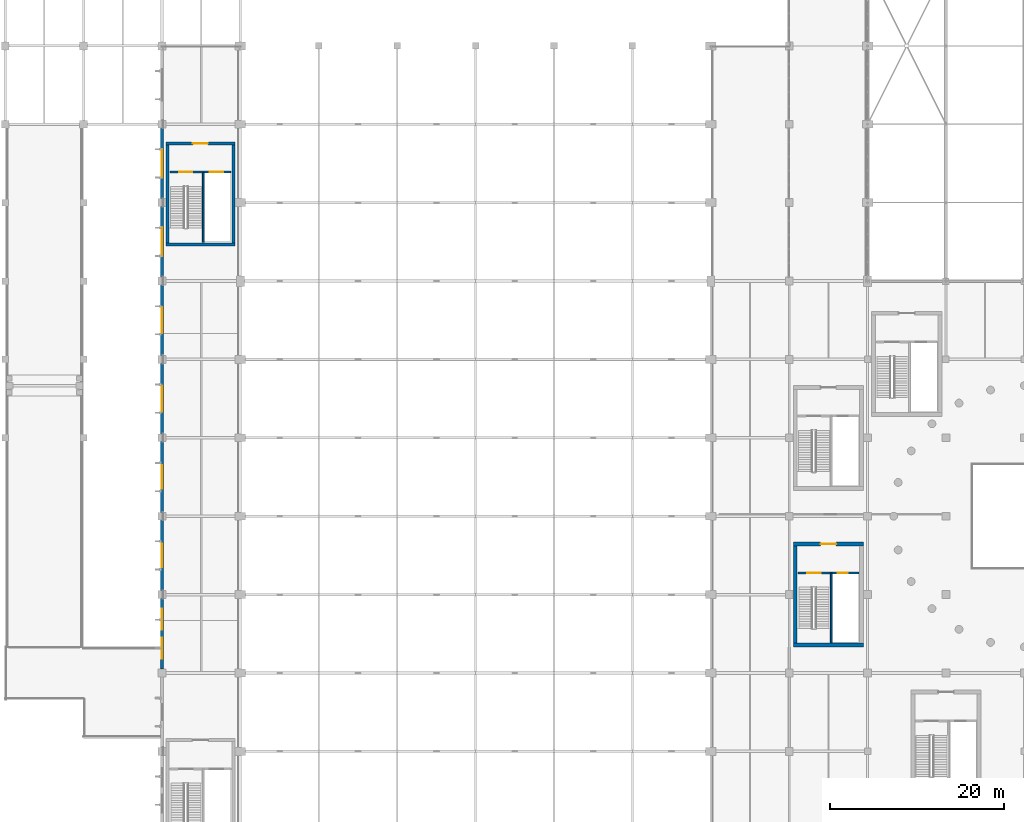
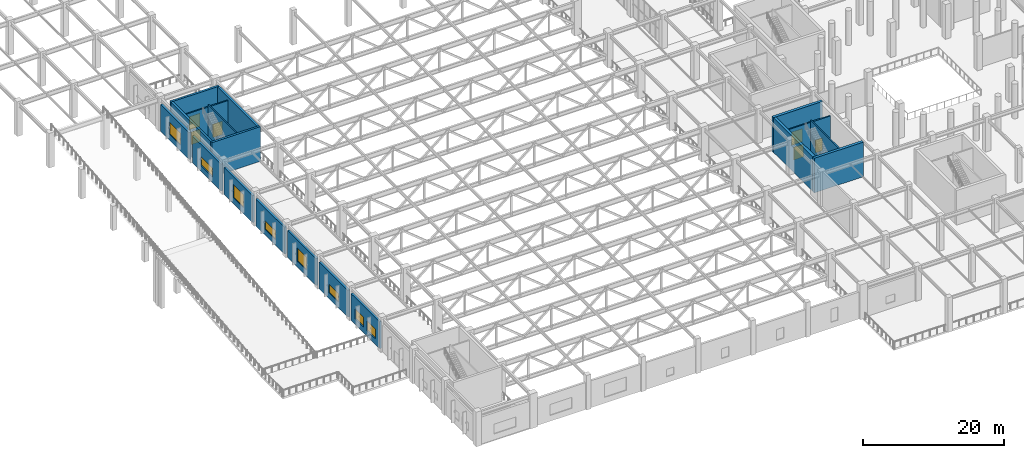
# One storey, part 190 of 223: 18 walls, 8 windows, 6 doors, 14 openings.
"""IFC4 building model written with IfcOpenShell, lengths in metres."""

import ifcopenshell
import ifcopenshell.guid

model = None  # the IFC model being written
_history = None  # IfcOwnerHistory: only IFC2X3 demands one
_inside = {}  # id of a spatial element -> (the spatial element, [elements in it])
_under = {}  # id of a project, library or spatial element -> (it, [spatial elements below it])
_declared = {}  # id of a project -> (the project, [libraries it declares])
_typed = {}  # id of a type object -> (the type object, [elements of that type])
_made_of = {}  # id of a material, layer set ... -> (it, [elements and type objects made of it])


def new_model(schema):
    """Start an empty IFC model of exactly this schema.

    Asked for "IFC4X3", IfcOpenShell would pick the latest addendum, in which some entities
    have other attributes; the version numbers below select the first issue.
    IFC2X3 requires an IfcOwnerHistory on every rooted entity: one is made here for all.
    """
    global model, _history
    if schema == "IFC4X3":
        model = ifcopenshell.file(schema_version=(4, 3, 0, 0))
    else:
        model = ifcopenshell.file(schema=schema)
    _inside.clear()
    _under.clear()
    _declared.clear()
    _typed.clear()
    _made_of.clear()
    _history = None
    if model.schema == "IFC2X3":
        org = make("IfcOrganization", Name="unknown")
        user = make(
            "IfcPersonAndOrganization",
            ThePerson=make("IfcPerson", FamilyName="unknown"),
            TheOrganization=org,
        )
        app = make(
            "IfcApplication",
            ApplicationDeveloper=org,
            Version="unknown",
            ApplicationFullName="unknown",
            ApplicationIdentifier="unknown",
        )
        _history = make(
            "IfcOwnerHistory",
            OwningUser=user,
            OwningApplication=app,
            ChangeAction="ADDED",
            CreationDate=0,
        )
    return model


def make(cls, **values):
    """One entity of the class cls with the attributes given. An attribute that is None is left unset."""
    return model.create_entity(
        cls, **{name: value for name, value in values.items() if value is not None}
    )


def rooted(cls, **values):
    """An entity with a GlobalId (a new one), such as an element, a storey or a relation."""
    return make(cls, GlobalId=ifcopenshell.guid.new(), OwnerHistory=_history, **values)


def si_unit(unit_type, name, prefix=None):
    """IfcSIUnit, for example si_unit("LENGTHUNIT", "METRE", prefix="MILLI")."""
    return make("IfcSIUnit", UnitType=unit_type, Prefix=prefix, Name=name)


def assignment(units):
    """IfcUnitAssignment: the units of a project."""
    return None if units is None else make("IfcUnitAssignment", Units=units)


def point(xyz):
    """IfcCartesianPoint."""
    return None if xyz is None else make("IfcCartesianPoint", Coordinates=xyz)


def direction(xyz):
    """IfcDirection."""
    return None if xyz is None else make("IfcDirection", DirectionRatios=xyz)


def frame(location, z_axis=None, x_axis=None):
    """IfcAxis2Placement3D, a coordinate frame: its origin and axes. An axis left out is left unset."""
    return make(
        "IfcAxis2Placement3D",
        Location=point(location),
        Axis=direction(z_axis),
        RefDirection=direction(x_axis),
    )


def frame_2d(location, x_axis=None):
    """IfcAxis2Placement2D, a coordinate frame in the plane: its origin and x axis."""
    return make(
        "IfcAxis2Placement2D", Location=point(location), RefDirection=direction(x_axis)
    )


def origin():
    """The frame at (0, 0, 0) with its axes left unset."""
    return frame((0.0, 0.0, 0.0))


def place(relative_to, where):
    """IfcLocalPlacement: puts the frame where relative to a parent placement (None: the world)."""
    return make(
        "IfcLocalPlacement", PlacementRelTo=relative_to, RelativePlacement=where
    )


def context(
    kind, dimensions, precision=None, world=None, true_north=None, identifier=None
):
    """IfcGeometricRepresentationContext, for example the 3D "Model" context."""
    return make(
        "IfcGeometricRepresentationContext",
        ContextIdentifier=identifier,
        ContextType=kind,
        CoordinateSpaceDimension=dimensions,
        Precision=precision,
        WorldCoordinateSystem=world,
        TrueNorth=true_north,
    )


def subcontext(parent, identifier, kind, view, scale=None):
    """IfcGeometricRepresentationSubContext, for example "Body" below "Model"."""
    return make(
        "IfcGeometricRepresentationSubContext",
        ContextIdentifier=identifier,
        ContextType=kind,
        ParentContext=parent,
        TargetScale=scale,
        TargetView=view,
    )


def project(units=None, contexts=None):
    """IfcProject with its units and contexts."""
    return rooted(
        "IfcProject",
        Name="project",
        RepresentationContexts=contexts,
        UnitsInContext=assignment(units),
    )


def spatial(cls, under=None, at=None, **own):
    """A site, building, storey or space (cls), placed at a placement, below another one or the project."""
    s = rooted(cls, ObjectPlacement=at, **own)
    if under is not None:
        _under.setdefault(under.id(), (under, []))[1].append(s)
    return s


def profile(cls, at=None, kind="AREA", **sizes):
    """A parametric profile (cls). Its sizes go by their IFC names, for example OverallWidth=200.0."""
    return make(cls, ProfileType=kind, Position=at, **sizes)


def rectangle(**sizes):
    """IfcRectangleProfileDef."""
    return profile("IfcRectangleProfileDef", **sizes)


def extrude(swept, where, along, depth):
    """IfcExtrudedAreaSolid: the profile swept, set in the frame where, extruded along a direction by depth."""
    return make(
        "IfcExtrudedAreaSolid",
        SweptArea=swept,
        Position=where,
        ExtrudedDirection=direction(along),
        Depth=depth,
    )


def shape(context_of_items, identifier, shape_type, items):
    """IfcShapeRepresentation: the items that make up one representation, for example the "Body"."""
    return make(
        "IfcShapeRepresentation",
        ContextOfItems=context_of_items,
        RepresentationIdentifier=identifier,
        RepresentationType=shape_type,
        Items=items,
    )


def material(Name=None, Category=None):
    """IfcMaterial."""
    return make("IfcMaterial", Name=Name, Category=Category)


def layer(
    of_material, thickness, ventilated=None, Name=None, Category=None, Priority=None
):
    """IfcMaterialLayer: one layer of a wall or slab, of a material (None: an air gap)."""
    return make(
        "IfcMaterialLayer",
        Material=of_material,
        LayerThickness=thickness,
        IsVentilated=ventilated,
        Name=Name,
        Category=Category,
        Priority=Priority,
    )


def layer_set(layers, Name=None):
    """IfcMaterialLayerSet."""
    return make("IfcMaterialLayerSet", MaterialLayers=layers, LayerSetName=Name)


def made_of(thing, what):
    """Note that an element or type object is made of a material, layer set ...; save() writes the relation."""
    if what is not None:
        _made_of.setdefault(what.id(), (what, []))[1].append(thing)
    return thing


def type_object(cls, material=None, **own):
    """A type object (cls), such as IfcWallType, which elements share."""
    return made_of(rooted(cls, **own), material)


def element(
    cls,
    number,
    at=None,
    inside=None,
    cuts=None,
    type_object=None,
    material=None,
    context=None,
    identifier="Body",
    shape_type=None,
    held_by="IfcProductDefinitionShape",
    body=None,
    shapes=None,
    **own,
):
    """One element of the class cls, such as IfcWall. Its Tag is "e" and its number.

    at: its placement. inside: the storey or other place that contains it. cuts: it is an
    opening in that element (IfcRelVoidsElement). A single representation is given by context,
    identifier, shape_type and body (its items); several are given by shapes. held_by: the class
    of the entity that holds the representations. save() writes the other relations.
    """
    e = rooted(cls, Tag="e%d" % number, ObjectPlacement=at, **own)
    if body is not None:
        shapes = [shape(context, identifier, shape_type, body)]
    if shapes is not None:
        e.Representation = make(held_by, Representations=shapes)
    if inside is not None:
        _inside.setdefault(inside.id(), (inside, []))[1].append(e)
    if cuts is not None:
        rooted(
            "IfcRelVoidsElement", RelatingBuildingElement=cuts, RelatedOpeningElement=e
        )
    if type_object is not None:
        _typed.setdefault(type_object.id(), (type_object, []))[1].append(e)
    return made_of(e, material)


def fill(opening, filler):
    """IfcRelFillsElement: the door or window that sits in an opening."""
    return rooted(
        "IfcRelFillsElement",
        RelatingOpeningElement=opening,
        RelatedBuildingElement=filler,
    )


def aggregate(whole, parts):
    """IfcRelAggregates: a whole, such as a stair, and the parts it consists of."""
    return rooted("IfcRelAggregates", RelatingObject=whole, RelatedObjects=parts)


def save(model, path):
    """Write the relations noted so far, then the file.

    IfcRelAggregates (storeys below a building ...), IfcRelContainedInSpatialStructure (elements
    in a storey), IfcRelDefinesByType, IfcRelAssociatesMaterial and IfcRelDeclares: one each for
    every whole, place, type object, material and project.
    """
    for whole, parts in _under.values():
        aggregate(whole, parts)
    for where, things in _inside.values():
        rooted(
            "IfcRelContainedInSpatialStructure",
            RelatedElements=things,
            RelatingStructure=where,
        )
    for kind, things in _typed.values():
        rooted("IfcRelDefinesByType", RelatedObjects=things, RelatingType=kind)
    for what, things in _made_of.values():
        rooted("IfcRelAssociatesMaterial", RelatedObjects=things, RelatingMaterial=what)
    for by, libraries in _declared.values():
        rooted("IfcRelDeclares", RelatingContext=by, RelatedDefinitions=libraries)
    model.write(path)


model = new_model("IFC4")

# Units and contexts
model_context = context("Model", 3, precision=1e-05, world=origin(), true_north=direction((0.0, 1.0)))
body_context = subcontext(model_context, "Body", "Model", "MODEL_VIEW")
ifc_project = project(units=[si_unit("LENGTHUNIT", "METRE"), si_unit("AREAUNIT", "SQUARE_METRE"), si_unit("VOLUMEUNIT", "CUBIC_METRE"), si_unit("PLANEANGLEUNIT", "RADIAN"), si_unit("MASSUNIT", "GRAM", prefix="KILO")], contexts=[model_context])

# Site, building, storey
site_placement = place(None, origin())
site = spatial("IfcSite", under=ifc_project, at=site_placement, CompositionType="ELEMENT")
building_placement = place(site_placement, origin())
building = spatial("IfcBuilding", under=site, at=building_placement, Name="Dornveld Trade and Exhibition Forum", CompositionType="ELEMENT")
storey_placement = place(building_placement, frame((0.0, 0.0, 6.0)))
storey = spatial("IfcBuildingStorey", under=building, at=storey_placement, Name="L01", CompositionType="ELEMENT", Elevation=6.0)

# Wall
ifc_material_1 = material(Name="Concrete C40/50", Category="concrete")
ifc_layer_1 = layer(ifc_material_1, 0.35009765625)
ifc_layer_set_1 = layer_set([ifc_layer_1], Name="Concrete C40/50")
wall_type_1 = type_object("IfcWallType", Name="WL-CORE-350", PredefinedType="SHEAR", material=ifc_layer_set_1)
wall_1_placement = place(storey_placement, frame((18.425048828125, 112.199951171875, 0.0), z_axis=(0.0, 0.0, 1.0), x_axis=(1.0, 0.0, 0.0)))
element("IfcWall", 1, at=wall_1_placement, inside=storey, type_object=wall_type_1, Name="CORE-10 L01 shear wall S", PredefinedType="SHEAR", context=body_context, shape_type="SweptSolid", body=[
    extrude(rectangle(XDim=7.949951171875, YDim=0.35009765625, at=frame_2d((3.97509765625, 0.0))), origin(), (0.0, 0.0, 1.0), 6.0),
])

# Wall, opening, door
wall_2_placement = place(storey_placement, frame((18.425048828125, 123.800048828125, 0.0), z_axis=(0.0, 0.0, 1.0), x_axis=(1.0, 0.0, 0.0)))
wall_2 = element("IfcWall", 2, at=wall_2_placement, inside=storey, type_object=wall_type_1, Name="CORE-10 L01 shear wall N", PredefinedType="SHEAR", context=body_context, shape_type="SweptSolid", body=[
    extrude(rectangle(XDim=7.949951171875, YDim=0.35009765625, at=frame_2d((3.97509765625, 0.0))), origin(), (0.0, 0.0, 1.0), 6.0),
])
opening_1_placement = place(wall_2_placement, frame((3.10009765625, 0.0, 0.0)))
opening_1 = element("IfcOpeningElement", 3, at=opening_1_placement, cuts=wall_2, Name="Opening CD-10-L01", PredefinedType="OPENING", context=body_context, shape_type="SweptSolid", body=[
    extrude(rectangle(XDim=1.75, YDim=2.300048828125, at=frame_2d((0.875, 1.14990234375))), frame((0.0, 0.18505859375, 0.0), z_axis=(0.0, -1.0, 0.0), x_axis=(1.0, 0.0, 0.0)), (0.0, 0.0, 1.0), 0.3701171875),
])
ifc_material_2 = material(Name="Steel fire-rated double door assembly", Category="steel")
door_type_1 = type_object("IfcDoorType", Name="DR-CORE-175x230", OperationType="NOTDEFINED", PredefinedType="DOOR", material=ifc_material_2)
door_1_placement = place(opening_1_placement, origin())
door_1 = element("IfcDoor", 4, at=door_1_placement, inside=storey, type_object=door_type_1, Name="CORE-10 L01 core lobby double fire door", OperationType="DOUBLE_DOOR_SINGLE_SWING", OverallHeight=2.300048828125, OverallWidth=1.75, PredefinedType="DOOR", context=body_context, shape_type="SweptSolid", body=[
    extrude(rectangle(XDim=1.75, YDim=2.300048828125, at=frame_2d((0.875, 1.14990234375))), frame((0.0, 0.02490234375, 0.0), z_axis=(0.0, -1.0, 0.0), x_axis=(1.0, 0.0, 0.0)), (0.0, 0.0, 1.0), 0.050048828125),
])
fill(opening_1, door_1)

# Walls
for number, where, z_axis, x_axis, name in (
    (5, (18.60009765625, 112.375, 0.0), (0.0, 0.0, 1.0), (0.0, 1.0, 0.0), "CORE-10 L01 shear wall W"),
    (6, (26.199951171875, 112.375, 0.0), (0.0, 0.0, 1.0), (0.0, 1.0, 0.0), "CORE-10 L01 shear wall E"),
):
    element("IfcWall", number, at=place(storey_placement, frame(where, z_axis=z_axis, x_axis=x_axis)), inside=storey, type_object=wall_type_1, Name=name, PredefinedType="SHEAR", context=body_context, shape_type="SweptSolid", body=[
        extrude(rectangle(XDim=11.25, YDim=0.35009765625, at=frame_2d((5.625, 0.0))), origin(), (0.0, 0.0, 1.0), 6.0),
    ])
ifc_material_3 = material(Name="Concrete C40/50", Category="concrete")
ifc_layer_2 = layer(ifc_material_3, 0.449951171875)
ifc_layer_set_2 = layer_set([ifc_layer_2], Name="Concrete C40/50")
wall_type_2 = type_object("IfcWallType", Name="WL-CORE-450", PredefinedType="SHEAR", material=ifc_layer_set_2)
wall_3_placement = place(storey_placement, frame((90.47509765625, 66.199951171875, 0.0), z_axis=(0.0, 0.0, 1.0), x_axis=(1.0, 0.0, 0.0)))
element("IfcWall", 7, at=wall_3_placement, inside=storey, type_object=wall_type_2, Name="CORE-05 L01 shear wall S", PredefinedType="SHEAR", context=body_context, shape_type="SweptSolid", body=[
    extrude(rectangle(XDim=8.0498046875, YDim=0.449951171875, at=frame_2d((4.02490234375, 0.0))), origin(), (0.0, 0.0, 1.0), 6.0),
])

# Wall, opening, door
wall_4_placement = place(storey_placement, frame((90.47509765625, 77.800048828125, 0.0), z_axis=(0.0, 0.0, 1.0), x_axis=(1.0, 0.0, 0.0)))
wall_4 = element("IfcWall", 8, at=wall_4_placement, inside=storey, type_object=wall_type_2, Name="CORE-05 L01 shear wall N", PredefinedType="SHEAR", context=body_context, shape_type="SweptSolid", body=[
    extrude(rectangle(XDim=8.0498046875, YDim=0.449951171875, at=frame_2d((4.02490234375, 0.0))), origin(), (0.0, 0.0, 1.0), 6.0),
])
opening_2_placement = place(wall_4_placement, frame((3.125, 0.0, 0.0)))
opening_2 = element("IfcOpeningElement", 9, at=opening_2_placement, cuts=wall_4, Name="Opening CD-05-L01", PredefinedType="OPENING", context=body_context, shape_type="SweptSolid", body=[
    extrude(rectangle(XDim=1.800048828125, YDim=2.300048828125, at=frame_2d((0.89990234375, 1.14990234375))), frame((0.0, 0.23486328125, 0.0), z_axis=(0.0, -1.0, 0.0), x_axis=(1.0, 0.0, 0.0)), (0.0, 0.0, 1.0), 0.469970703125),
])
ifc_material_4 = material(Name="Steel fire-rated double door assembly", Category="steel")
door_type_2 = type_object("IfcDoorType", Name="DR-CORE-180x230", OperationType="NOTDEFINED", PredefinedType="DOOR", material=ifc_material_4)
door_2_placement = place(opening_2_placement, origin())
door_2 = element("IfcDoor", 10, at=door_2_placement, inside=storey, type_object=door_type_2, Name="CORE-05 L01 core lobby double fire door", OperationType="DOUBLE_DOOR_SINGLE_SWING", OverallHeight=2.300048828125, OverallWidth=1.800048828125, PredefinedType="DOOR", context=body_context, shape_type="SweptSolid", body=[
    extrude(rectangle(XDim=1.800048828125, YDim=2.300048828125, at=frame_2d((0.89990234375, 1.14990234375))), frame((0.0, 0.02490234375, 0.0), z_axis=(0.0, -1.0, 0.0), x_axis=(1.0, 0.0, 0.0)), (0.0, 0.0, 1.0), 0.050048828125),
])
fill(opening_2, door_2)

# Wall
wall_5_placement = place(storey_placement, frame((90.699951171875, 66.425048828125, 0.0), z_axis=(0.0, 0.0, 1.0), x_axis=(0.0, 1.0, 0.0)))
element("IfcWall", 11, at=wall_5_placement, inside=storey, type_object=wall_type_2, Name="CORE-05 L01 shear wall W", PredefinedType="SHEAR", context=body_context, shape_type="SweptSolid", body=[
    extrude(rectangle(XDim=11.14990234375, YDim=0.449951171875, at=frame_2d((5.574951171875, 0.0))), origin(), (0.0, 0.0, 1.0), 6.0),
])

# Wall, openings, windows
ifc_material_5 = material(Name="Precast concrete C50/60", Category="concrete")
ifc_layer_3 = layer(ifc_material_5, 0.340087890625)
ifc_layer_set_3 = layer_set([ifc_layer_3], Name="Precast concrete C50/60")
wall_type_3 = type_object("IfcWallType", Name="WL-EXT-PC340", PredefinedType="SOLIDWALL", material=ifc_layer_set_3)
wall_6_placement = place(storey_placement, frame((18.0, 71.550537109375, 0.0), z_axis=(0.0, 0.0, 1.0), x_axis=(0.0, -1.0, 0.0)))
wall_6 = element("IfcWall", 12, at=wall_6_placement, inside=storey, type_object=wall_type_3, Name="L01 precast facade wall 49", PredefinedType="SOLIDWALL", context=body_context, shape_type="SweptSolid", body=[
    extrude(rectangle(XDim=8.10107421875, YDim=0.340087890625, at=frame_2d((4.050537109375, 0.0))), origin(), (0.0, 0.0, 1.0), 4.659912109375),
])
opening_3_placement = place(wall_6_placement, frame((1.200439453125, 0.0, 1.0)))
opening_3 = element("IfcOpeningElement", 13, at=opening_3_placement, cuts=wall_6, Name="Opening W-32", PredefinedType="OPENING", context=body_context, shape_type="SweptSolid", body=[
    extrude(rectangle(XDim=2.39990234375, YDim=1.699951171875, at=frame_2d((1.199951171875, 0.85009765625))), frame((0.0, 0.179931640625, 0.0), z_axis=(0.0, -1.0, 0.0), x_axis=(1.0, 0.0, 0.0)), (0.0, 0.0, 1.0), 0.360107421875),
])
opening_4_placement = place(wall_6_placement, frame((4.50048828125, 0.0, 1.0)))
opening_4 = element("IfcOpeningElement", 14, at=opening_4_placement, cuts=wall_6, Name="Opening W-32", PredefinedType="OPENING", context=body_context, shape_type="SweptSolid", body=[
    extrude(rectangle(XDim=2.39990234375, YDim=1.699951171875, at=frame_2d((1.199951171875, 0.85009765625))), frame((0.0, 0.179931640625, 0.0), z_axis=(0.0, -1.0, 0.0), x_axis=(1.0, 0.0, 0.0)), (0.0, 0.0, 1.0), 0.360107421875),
])
ifc_material_6 = material(Name="Dark-bronze anodised aluminium and low-E glass", Category="aluminium")
window_type_1 = type_object("IfcWindowType", Name="WIN-AL-32", PartitioningType="DOUBLE_PANEL_VERTICAL", PredefinedType="WINDOW", material=ifc_material_6)
window_1_placement = place(opening_3_placement, origin())
window_1 = element("IfcWindow", 15, at=window_1_placement, inside=storey, type_object=window_type_1, Name="L01 facade window 32", OverallHeight=1.699951171875, OverallWidth=2.39990234375, PartitioningType="SINGLE_PANEL", PredefinedType="WINDOW", context=body_context, shape_type="SweptSolid", body=[
    extrude(rectangle(XDim=2.39990234375, YDim=1.699951171875, at=frame_2d((1.199951171875, 0.85009765625))), frame((0.0, 0.030029296875, 0.0), z_axis=(0.0, -1.0, 0.0), x_axis=(1.0, 0.0, 0.0)), (0.0, 0.0, 1.0), 0.06005859375),
])
fill(opening_3, window_1)
window_2_placement = place(opening_4_placement, origin())
window_2 = element("IfcWindow", 16, at=window_2_placement, inside=storey, type_object=window_type_1, Name="L01 facade window 33", OverallHeight=1.699951171875, OverallWidth=2.39990234375, PartitioningType="SINGLE_PANEL", PredefinedType="WINDOW", context=body_context, shape_type="SweptSolid", body=[
    extrude(rectangle(XDim=2.39990234375, YDim=1.699951171875, at=frame_2d((1.199951171875, 0.85009765625))), frame((0.0, 0.030029296875, 0.0), z_axis=(0.0, -1.0, 0.0), x_axis=(1.0, 0.0, 0.0)), (0.0, 0.0, 1.0), 0.06005859375),
])
fill(opening_4, window_2)

# Wall, opening, window
wall_7_placement = place(storey_placement, frame((18.0, 80.550537109375, 0.0), z_axis=(0.0, 0.0, 1.0), x_axis=(0.0, -1.0, 0.0)))
wall_7 = element("IfcWall", 17, at=wall_7_placement, inside=storey, type_object=wall_type_3, Name="L01 precast facade wall 53", PredefinedType="SOLIDWALL", context=body_context, shape_type="SweptSolid", body=[
    extrude(rectangle(XDim=8.10107421875, YDim=0.340087890625, at=frame_2d((4.050537109375, 0.0))), origin(), (0.0, 0.0, 1.0), 4.659912109375),
])
opening_5_placement = place(wall_7_placement, frame((2.700439453125, 0.0, 1.0)))
opening_5 = element("IfcOpeningElement", 18, at=opening_5_placement, cuts=wall_7, Name="Opening W-38", PredefinedType="OPENING", context=body_context, shape_type="SweptSolid", body=[
    extrude(rectangle(XDim=2.699951171875, YDim=1.5, at=frame_2d((1.35009765625, 0.75))), frame((0.0, 0.179931640625, 0.0), z_axis=(0.0, -1.0, 0.0), x_axis=(1.0, 0.0, 0.0)), (0.0, 0.0, 1.0), 0.360107421875),
])
ifc_material_7 = material(Name="Dark-bronze anodised aluminium and low-E glass", Category="aluminium")
window_type_2 = type_object("IfcWindowType", Name="WIN-AL-38", PartitioningType="DOUBLE_PANEL_VERTICAL", PredefinedType="WINDOW", material=ifc_material_7)
window_3_placement = place(opening_5_placement, origin())
window_3 = element("IfcWindow", 19, at=window_3_placement, inside=storey, type_object=window_type_2, Name="L01 facade window 38", OverallHeight=1.5, OverallWidth=2.699951171875, PartitioningType="SINGLE_PANEL", PredefinedType="WINDOW", context=body_context, shape_type="SweptSolid", body=[
    extrude(rectangle(XDim=2.699951171875, YDim=1.5, at=frame_2d((1.35009765625, 0.75))), frame((0.0, 0.030029296875, 0.0), z_axis=(0.0, -1.0, 0.0), x_axis=(1.0, 0.0, 0.0)), (0.0, 0.0, 1.0), 0.06005859375),
])
fill(opening_5, window_3)

wall_8_placement = place(storey_placement, frame((18.0, 89.550537109375, 0.0), z_axis=(0.0, 0.0, 1.0), x_axis=(0.0, -1.0, 0.0)))
wall_8 = element("IfcWall", 20, at=wall_8_placement, inside=storey, type_object=wall_type_3, Name="L01 precast facade wall 57", PredefinedType="SOLIDWALL", context=body_context, shape_type="SweptSolid", body=[
    extrude(rectangle(XDim=8.10107421875, YDim=0.340087890625, at=frame_2d((4.050537109375, 0.0))), origin(), (0.0, 0.0, 1.0), 4.659912109375),
])
opening_6_placement = place(wall_8_placement, frame((2.700439453125, 0.0, 1.0)))
opening_6 = element("IfcOpeningElement", 21, at=opening_6_placement, cuts=wall_8, Name="Opening W-42", PredefinedType="OPENING", context=body_context, shape_type="SweptSolid", body=[
    extrude(rectangle(XDim=2.699951171875, YDim=2.300048828125, at=frame_2d((1.35009765625, 1.14990234375))), frame((0.0, 0.179931640625, 0.0), z_axis=(0.0, -1.0, 0.0), x_axis=(1.0, 0.0, 0.0)), (0.0, 0.0, 1.0), 0.360107421875),
])
ifc_material_8 = material(Name="Dark-bronze anodised aluminium and low-E glass", Category="aluminium")
window_type_3 = type_object("IfcWindowType", Name="WIN-AL-42", PartitioningType="DOUBLE_PANEL_VERTICAL", PredefinedType="WINDOW", material=ifc_material_8)
window_4_placement = place(opening_6_placement, origin())
window_4 = element("IfcWindow", 22, at=window_4_placement, inside=storey, type_object=window_type_3, Name="L01 facade window 42", OverallHeight=2.300048828125, OverallWidth=2.699951171875, PartitioningType="SINGLE_PANEL", PredefinedType="WINDOW", context=body_context, shape_type="SweptSolid", body=[
    extrude(rectangle(XDim=2.699951171875, YDim=2.300048828125, at=frame_2d((1.35009765625, 1.14990234375))), frame((0.0, 0.030029296875, 0.0), z_axis=(0.0, -1.0, 0.0), x_axis=(1.0, 0.0, 0.0)), (0.0, 0.0, 1.0), 0.06005859375),
])
fill(opening_6, window_4)

wall_9_placement = place(storey_placement, frame((18.0, 98.550537109375, 0.0), z_axis=(0.0, 0.0, 1.0), x_axis=(0.0, -1.0, 0.0)))
wall_9 = element("IfcWall", 23, at=wall_9_placement, inside=storey, type_object=wall_type_3, Name="L01 precast facade wall 61", PredefinedType="SOLIDWALL", context=body_context, shape_type="SweptSolid", body=[
    extrude(rectangle(XDim=8.10107421875, YDim=0.340087890625, at=frame_2d((4.050537109375, 0.0))), origin(), (0.0, 0.0, 1.0), 4.659912109375),
])
opening_7_placement = place(wall_9_placement, frame((2.550537109375, 0.0, 1.0)))
opening_7 = element("IfcOpeningElement", 24, at=opening_7_placement, cuts=wall_9, Name="Opening W-45", PredefinedType="OPENING", context=body_context, shape_type="SweptSolid", body=[
    extrude(rectangle(XDim=3.0, YDim=1.5, at=frame_2d((1.5, 0.75))), frame((0.0, 0.179931640625, 0.0), z_axis=(0.0, -1.0, 0.0), x_axis=(1.0, 0.0, 0.0)), (0.0, 0.0, 1.0), 0.360107421875),
])
ifc_material_9 = material(Name="Dark-bronze anodised aluminium and low-E glass", Category="aluminium")
window_type_4 = type_object("IfcWindowType", Name="WIN-AL-45", PartitioningType="DOUBLE_PANEL_VERTICAL", PredefinedType="WINDOW", material=ifc_material_9)
window_5_placement = place(opening_7_placement, origin())
window_5 = element("IfcWindow", 25, at=window_5_placement, inside=storey, type_object=window_type_4, Name="L01 facade window 45", OverallHeight=1.5, OverallWidth=3.0, PartitioningType="SINGLE_PANEL", PredefinedType="WINDOW", context=body_context, shape_type="SweptSolid", body=[
    extrude(rectangle(XDim=3.0, YDim=1.5, at=frame_2d((1.5, 0.75))), frame((0.0, 0.030029296875, 0.0), z_axis=(0.0, -1.0, 0.0), x_axis=(1.0, 0.0, 0.0)), (0.0, 0.0, 1.0), 0.06005859375),
])
fill(opening_7, window_5)

wall_10_placement = place(storey_placement, frame((18.0, 107.550537109375, 0.0), z_axis=(0.0, 0.0, 1.0), x_axis=(0.0, -1.0, 0.0)))
wall_10 = element("IfcWall", 26, at=wall_10_placement, inside=storey, type_object=wall_type_3, Name="L01 precast facade wall 65", PredefinedType="SOLIDWALL", context=body_context, shape_type="SweptSolid", body=[
    extrude(rectangle(XDim=8.10107421875, YDim=0.340087890625, at=frame_2d((4.050537109375, 0.0))), origin(), (0.0, 0.0, 1.0), 4.659912109375),
])
opening_8_placement = place(wall_10_placement, frame((2.550537109375, 0.0, 1.0)))
opening_8 = element("IfcOpeningElement", 27, at=opening_8_placement, cuts=wall_10, Name="Opening W-49", PredefinedType="OPENING", context=body_context, shape_type="SweptSolid", body=[
    extrude(rectangle(XDim=3.0, YDim=2.300048828125, at=frame_2d((1.5, 1.14990234375))), frame((0.0, 0.179931640625, 0.0), z_axis=(0.0, -1.0, 0.0), x_axis=(1.0, 0.0, 0.0)), (0.0, 0.0, 1.0), 0.360107421875),
])
ifc_material_10 = material(Name="Dark-bronze anodised aluminium and low-E glass", Category="aluminium")
window_type_5 = type_object("IfcWindowType", Name="WIN-AL-49", PartitioningType="DOUBLE_PANEL_VERTICAL", PredefinedType="WINDOW", material=ifc_material_10)
window_6_placement = place(opening_8_placement, origin())
window_6 = element("IfcWindow", 28, at=window_6_placement, inside=storey, type_object=window_type_5, Name="L01 facade window 49", OverallHeight=2.300048828125, OverallWidth=3.0, PartitioningType="SINGLE_PANEL", PredefinedType="WINDOW", context=body_context, shape_type="SweptSolid", body=[
    extrude(rectangle(XDim=3.0, YDim=2.300048828125, at=frame_2d((1.5, 1.14990234375))), frame((0.0, 0.030029296875, 0.0), z_axis=(0.0, -1.0, 0.0), x_axis=(1.0, 0.0, 0.0)), (0.0, 0.0, 1.0), 0.06005859375),
])
fill(opening_8, window_6)

wall_11_placement = place(storey_placement, frame((18.0, 116.550537109375, 0.0), z_axis=(0.0, 0.0, 1.0), x_axis=(0.0, -1.0, 0.0)))
wall_11 = element("IfcWall", 29, at=wall_11_placement, inside=storey, type_object=wall_type_3, Name="L01 precast facade wall 69", PredefinedType="SOLIDWALL", context=body_context, shape_type="SweptSolid", body=[
    extrude(rectangle(XDim=8.10107421875, YDim=0.340087890625, at=frame_2d((4.050537109375, 0.0))), origin(), (0.0, 0.0, 1.0), 4.659912109375),
])
opening_9_placement = place(wall_11_placement, frame((2.400390625, 0.0, 1.0)))
opening_9 = element("IfcOpeningElement", 30, at=opening_9_placement, cuts=wall_11, Name="Opening W-52", PredefinedType="OPENING", context=body_context, shape_type="SweptSolid", body=[
    extrude(rectangle(XDim=3.300048828125, YDim=1.5, at=frame_2d((1.64990234375, 0.75))), frame((0.0, 0.179931640625, 0.0), z_axis=(0.0, -1.0, 0.0), x_axis=(1.0, 0.0, 0.0)), (0.0, 0.0, 1.0), 0.360107421875),
])
ifc_material_11 = material(Name="Dark-bronze anodised aluminium and low-E glass", Category="aluminium")
window_type_6 = type_object("IfcWindowType", Name="WIN-AL-52", PartitioningType="DOUBLE_PANEL_VERTICAL", PredefinedType="WINDOW", material=ifc_material_11)
window_7_placement = place(opening_9_placement, origin())
window_7 = element("IfcWindow", 31, at=window_7_placement, inside=storey, type_object=window_type_6, Name="L01 facade window 52", OverallHeight=1.5, OverallWidth=3.300048828125, PartitioningType="SINGLE_PANEL", PredefinedType="WINDOW", context=body_context, shape_type="SweptSolid", body=[
    extrude(rectangle(XDim=3.300048828125, YDim=1.5, at=frame_2d((1.64990234375, 0.75))), frame((0.0, 0.030029296875, 0.0), z_axis=(0.0, -1.0, 0.0), x_axis=(1.0, 0.0, 0.0)), (0.0, 0.0, 1.0), 0.06005859375),
])
fill(opening_9, window_7)

wall_12_placement = place(storey_placement, frame((18.0, 125.550537109375, 0.0), z_axis=(0.0, 0.0, 1.0), x_axis=(0.0, -1.0, 0.0)))
wall_12 = element("IfcWall", 32, at=wall_12_placement, inside=storey, type_object=wall_type_3, Name="L01 precast facade wall 73", PredefinedType="SOLIDWALL", context=body_context, shape_type="SweptSolid", body=[
    extrude(rectangle(XDim=8.10107421875, YDim=0.340087890625, at=frame_2d((4.050537109375, 0.0))), origin(), (0.0, 0.0, 1.0), 4.659912109375),
])
opening_10_placement = place(wall_12_placement, frame((2.400390625, 0.0, 1.0)))
opening_10 = element("IfcOpeningElement", 33, at=opening_10_placement, cuts=wall_12, Name="Opening W-55", PredefinedType="OPENING", context=body_context, shape_type="SweptSolid", body=[
    extrude(rectangle(XDim=3.300048828125, YDim=2.10009765625, at=frame_2d((1.64990234375, 1.050048828125))), frame((0.0, 0.179931640625, 0.0), z_axis=(0.0, -1.0, 0.0), x_axis=(1.0, 0.0, 0.0)), (0.0, 0.0, 1.0), 0.360107421875),
])
ifc_material_12 = material(Name="Dark-bronze anodised aluminium and low-E glass", Category="aluminium")
window_type_7 = type_object("IfcWindowType", Name="WIN-AL-55", PartitioningType="DOUBLE_PANEL_VERTICAL", PredefinedType="WINDOW", material=ifc_material_12)
window_8_placement = place(opening_10_placement, origin())
window_8 = element("IfcWindow", 34, at=window_8_placement, inside=storey, type_object=window_type_7, Name="L01 facade window 55", OverallHeight=2.10009765625, OverallWidth=3.300048828125, PartitioningType="SINGLE_PANEL", PredefinedType="WINDOW", context=body_context, shape_type="SweptSolid", body=[
    extrude(rectangle(XDim=3.300048828125, YDim=2.10009765625, at=frame_2d((1.64990234375, 1.050048828125))), frame((0.0, 0.030029296875, 0.0), z_axis=(0.0, -1.0, 0.0), x_axis=(1.0, 0.0, 0.0)), (0.0, 0.0, 1.0), 0.06005859375),
])
fill(opening_10, window_8)

# Wall, openings, doors
ifc_material_13 = material(Name="Concrete C40/50", Category="concrete")
ifc_layer_4 = layer(ifc_material_13, 0.219970703125)
ifc_layer_set_4 = layer_set([ifc_layer_4], Name="Concrete C40/50")
wall_type_4 = type_object("IfcWallType", Name="WL-INT-LOB220", PredefinedType="SOLIDWALL", material=ifc_layer_set_4)
wall_13_placement = place(storey_placement, frame((91.0, 74.5, 0.0), z_axis=(0.0, 0.0, 1.0), x_axis=(1.0, 0.0, 0.0)))
wall_13 = element("IfcWall", 35, at=wall_13_placement, inside=storey, type_object=wall_type_4, Name="CORE-05 L01 protected lobby bulkhead wall", PredefinedType="SOLIDWALL", context=body_context, shape_type="SweptSolid", body=[
    extrude(rectangle(XDim=7.0, YDim=0.219970703125, at=frame_2d((3.5, 0.0))), origin(), (0.0, 0.0, 1.0), 5.6201171875),
])
opening_11_placement = place(wall_13_placement, frame((1.050048828125, 0.0, 0.0)))
opening_11 = element("IfcOpeningElement", 36, at=opening_11_placement, cuts=wall_13, Name="Opening SD-05-L01", PredefinedType="OPENING", context=body_context, shape_type="SweptSolid", body=[
    extrude(rectangle(XDim=1.550048828125, YDim=2.199951171875, at=frame_2d((0.77490234375, 1.10009765625))), frame((0.0, 0.119873046875, 0.0), z_axis=(0.0, -1.0, 0.0), x_axis=(1.0, 0.0, 0.0)), (0.0, 0.0, 1.0), 0.239990234375),
])
opening_12_placement = place(wall_13_placement, frame((4.550048828125, 0.0, 0.0)))
opening_12 = element("IfcOpeningElement", 37, at=opening_12_placement, cuts=wall_13, Name="Opening LD-05-L01", PredefinedType="OPENING", context=body_context, shape_type="SweptSolid", body=[
    extrude(rectangle(XDim=1.199951171875, YDim=2.199951171875, at=frame_2d((0.60009765625, 1.10009765625))), frame((0.0, 0.119873046875, 0.0), z_axis=(0.0, -1.0, 0.0), x_axis=(1.0, 0.0, 0.0)), (0.0, 0.0, 1.0), 0.239990234375),
])
ifc_material_14 = material(Name="Brushed stainless steel sliding lift landing door", Category="steel")
door_type_3 = type_object("IfcDoorType", Name="DR-LIFT-120x220", OperationType="NOTDEFINED", PredefinedType="DOOR", material=ifc_material_14)
door_3_placement = place(opening_12_placement, origin())
door_3 = element("IfcDoor", 38, at=door_3_placement, inside=storey, type_object=door_type_3, Name="CORE-05 L01 lift sliding landing door", OperationType="SLIDING_TO_LEFT", OverallHeight=2.199951171875, OverallWidth=1.199951171875, PredefinedType="DOOR", context=body_context, shape_type="SweptSolid", body=[
    extrude(rectangle(XDim=1.199951171875, YDim=2.199951171875, at=frame_2d((0.60009765625, 1.10009765625))), frame((0.0, 0.02490234375, 0.0), z_axis=(0.0, -1.0, 0.0), x_axis=(1.0, 0.0, 0.0)), (0.0, 0.0, 1.0), 0.050048828125),
])
fill(opening_12, door_3)
ifc_material_15 = material(Name="Steel fire-rated stair door assembly", Category="steel")
door_type_4 = type_object("IfcDoorType", Name="DR-STAIR-155x220", OperationType="NOTDEFINED", PredefinedType="DOOR", material=ifc_material_15)
door_4_placement = place(opening_11_placement, origin())
door_4 = element("IfcDoor", 39, at=door_4_placement, inside=storey, type_object=door_type_4, Name="CORE-05 L01 protected stair door", OperationType="SINGLE_SWING_LEFT", OverallHeight=2.199951171875, OverallWidth=1.550048828125, PredefinedType="DOOR", context=body_context, shape_type="SweptSolid", body=[
    extrude(rectangle(XDim=1.550048828125, YDim=2.199951171875, at=frame_2d((0.77490234375, 1.10009765625))), frame((0.0, 0.02490234375, 0.0), z_axis=(0.0, -1.0, 0.0), x_axis=(1.0, 0.0, 0.0)), (0.0, 0.0, 1.0), 0.050048828125),
])
fill(opening_11, door_4)

wall_14_placement = place(storey_placement, frame((18.89990234375, 120.5, 0.0), z_axis=(0.0, 0.0, 1.0), x_axis=(1.0, 0.0, 0.0)))
wall_14 = element("IfcWall", 40, at=wall_14_placement, inside=storey, type_object=wall_type_4, Name="CORE-10 L01 protected lobby bulkhead wall", PredefinedType="SOLIDWALL", context=body_context, shape_type="SweptSolid", body=[
    extrude(rectangle(XDim=7.0, YDim=0.219970703125, at=frame_2d((3.5, 0.0))), origin(), (0.0, 0.0, 1.0), 5.6201171875),
])
opening_13_placement = place(wall_14_placement, frame((1.050048828125, 0.0, 0.0)))
opening_13 = element("IfcOpeningElement", 41, at=opening_13_placement, cuts=wall_14, Name="Opening SD-10-L01", PredefinedType="OPENING", context=body_context, shape_type="SweptSolid", body=[
    extrude(rectangle(XDim=1.5, YDim=2.199951171875, at=frame_2d((0.75, 1.10009765625))), frame((0.0, 0.119873046875, 0.0), z_axis=(0.0, -1.0, 0.0), x_axis=(1.0, 0.0, 0.0)), (0.0, 0.0, 1.0), 0.239990234375),
])
opening_14_placement = place(wall_14_placement, frame((4.550048828125, 0.0, 0.0)))
opening_14 = element("IfcOpeningElement", 42, at=opening_14_placement, cuts=wall_14, Name="Opening LD-10-L01", PredefinedType="OPENING", context=body_context, shape_type="SweptSolid", body=[
    extrude(rectangle(XDim=1.60009765625, YDim=2.300048828125, at=frame_2d((0.800048828125, 1.14990234375))), frame((0.0, 0.119873046875, 0.0), z_axis=(0.0, -1.0, 0.0), x_axis=(1.0, 0.0, 0.0)), (0.0, 0.0, 1.0), 0.239990234375),
])
ifc_material_16 = material(Name="Heavy-duty steel sliding freight lift landing door", Category="steel")
door_type_5 = type_object("IfcDoorType", Name="DR-LIFT-160x230", OperationType="NOTDEFINED", PredefinedType="DOOR", material=ifc_material_16)
door_5_placement = place(opening_14_placement, origin())
door_5 = element("IfcDoor", 43, at=door_5_placement, inside=storey, type_object=door_type_5, Name="CORE-10 L01 lift sliding landing door", OperationType="SLIDING_TO_RIGHT", OverallHeight=2.300048828125, OverallWidth=1.60009765625, PredefinedType="DOOR", context=body_context, shape_type="SweptSolid", body=[
    extrude(rectangle(XDim=1.60009765625, YDim=2.300048828125, at=frame_2d((0.800048828125, 1.14990234375))), frame((0.0, 0.02490234375, 0.0), z_axis=(0.0, -1.0, 0.0), x_axis=(1.0, 0.0, 0.0)), (0.0, 0.0, 1.0), 0.050048828125),
])
fill(opening_14, door_5)
ifc_material_17 = material(Name="Steel fire-rated stair door assembly", Category="steel")
door_type_6 = type_object("IfcDoorType", Name="DR-STAIR-150x220", OperationType="NOTDEFINED", PredefinedType="DOOR", material=ifc_material_17)
door_6_placement = place(opening_13_placement, origin())
door_6 = element("IfcDoor", 44, at=door_6_placement, inside=storey, type_object=door_type_6, Name="CORE-10 L01 protected stair door", OperationType="SINGLE_SWING_RIGHT", OverallHeight=2.199951171875, OverallWidth=1.5, PredefinedType="DOOR", context=body_context, shape_type="SweptSolid", body=[
    extrude(rectangle(XDim=1.5, YDim=2.199951171875, at=frame_2d((0.75, 1.10009765625))), frame((0.0, 0.02490234375, 0.0), z_axis=(0.0, -1.0, 0.0), x_axis=(1.0, 0.0, 0.0)), (0.0, 0.0, 1.0), 0.050048828125),
])
fill(opening_13, door_6)

# Walls
ifc_material_18 = material(Name="Concrete C40/50", Category="concrete")
ifc_layer_5 = layer(ifc_material_18, 0.199951171875)
ifc_layer_set_5 = layer_set([ifc_layer_5], Name="Concrete C40/50")
wall_type_5 = type_object("IfcWallType", Name="WL-INT-SHAFT200", PredefinedType="SOLIDWALL", material=ifc_layer_set_5)
for number, where, z_axis, x_axis, name in (
    (45, (94.820068359375, 66.449951171875, 0.0), (0.0, 0.0, 1.0), (0.0, 1.0, 0.0), "CORE-05 L01 lift-stair structural shaft wall"),
    (46, (22.719970703125, 112.449951171875, 0.0), (0.0, 0.0, 1.0), (0.0, 1.0, 0.0), "CORE-10 L01 lift-stair structural shaft wall"),
):
    element("IfcWall", number, at=place(storey_placement, frame(where, z_axis=z_axis, x_axis=x_axis)), inside=storey, type_object=wall_type_5, Name=name, PredefinedType="SOLIDWALL", context=body_context, shape_type="SweptSolid", body=[
        extrude(rectangle(XDim=8.0, YDim=0.199951171875, at=frame_2d((4.0, 0.0))), origin(), (0.0, 0.0, 1.0), 6.0),
    ])

save(model, "model.ifc")
